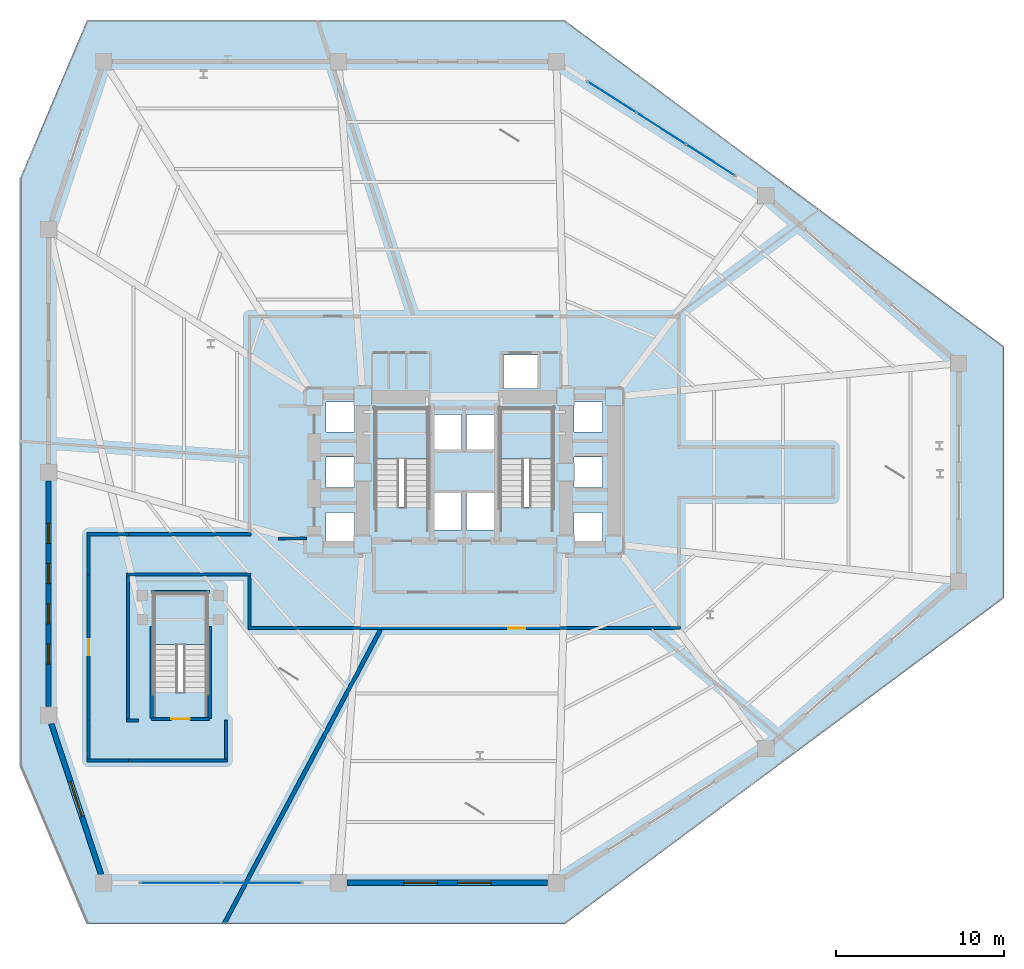
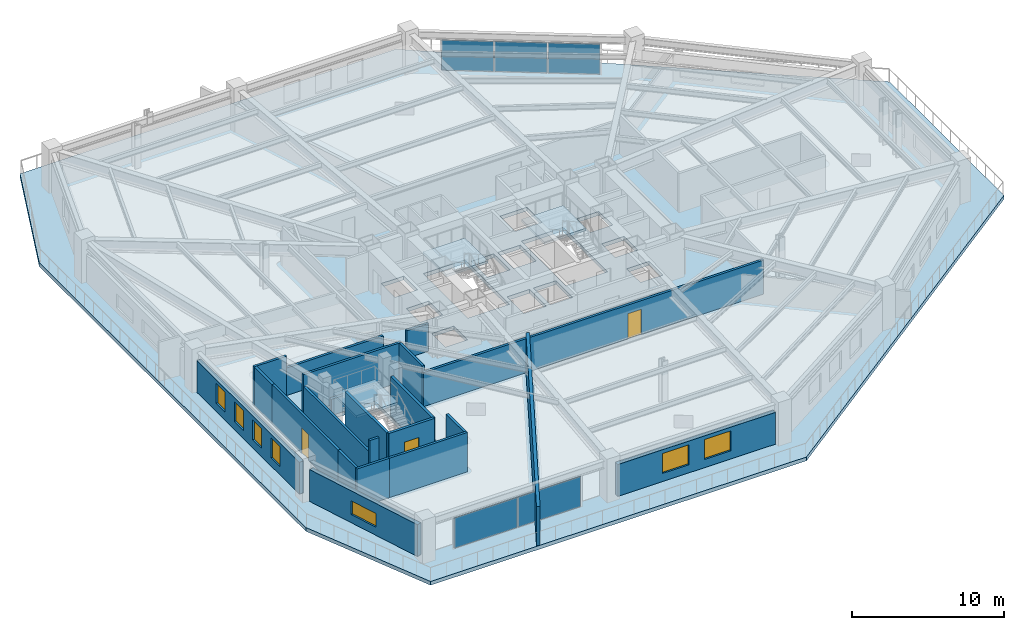
# One storey, part 5 of 12: 22 walls, 7 windows, 5 plates, 4 slabs, 3 doors, 10 openings, 5 elements without a shape of their own.
"""IFC4 building model written with IfcOpenShell, lengths in metres."""

import ifcopenshell
import ifcopenshell.guid

model = None  # the IFC model being written
_history = None  # IfcOwnerHistory: only IFC2X3 demands one
_inside = {}  # id of a spatial element -> (the spatial element, [elements in it])
_under = {}  # id of a project, library or spatial element -> (it, [spatial elements below it])
_declared = {}  # id of a project -> (the project, [libraries it declares])
_typed = {}  # id of a type object -> (the type object, [elements of that type])
_made_of = {}  # id of a material, layer set ... -> (it, [elements and type objects made of it])


def new_model(schema):
    """Start an empty IFC model of exactly this schema.

    Asked for "IFC4X3", IfcOpenShell would pick the latest addendum, in which some entities
    have other attributes; the version numbers below select the first issue.
    IFC2X3 requires an IfcOwnerHistory on every rooted entity: one is made here for all.
    """
    global model, _history
    if schema == "IFC4X3":
        model = ifcopenshell.file(schema_version=(4, 3, 0, 0))
    else:
        model = ifcopenshell.file(schema=schema)
    _inside.clear()
    _under.clear()
    _declared.clear()
    _typed.clear()
    _made_of.clear()
    _history = None
    if model.schema == "IFC2X3":
        org = make("IfcOrganization", Name="unknown")
        user = make(
            "IfcPersonAndOrganization",
            ThePerson=make("IfcPerson", FamilyName="unknown"),
            TheOrganization=org,
        )
        app = make(
            "IfcApplication",
            ApplicationDeveloper=org,
            Version="unknown",
            ApplicationFullName="unknown",
            ApplicationIdentifier="unknown",
        )
        _history = make(
            "IfcOwnerHistory",
            OwningUser=user,
            OwningApplication=app,
            ChangeAction="ADDED",
            CreationDate=0,
        )
    return model


def make(cls, **values):
    """One entity of the class cls with the attributes given. An attribute that is None is left unset."""
    return model.create_entity(
        cls, **{name: value for name, value in values.items() if value is not None}
    )


def rooted(cls, **values):
    """An entity with a GlobalId (a new one), such as an element, a storey or a relation."""
    return make(cls, GlobalId=ifcopenshell.guid.new(), OwnerHistory=_history, **values)


def si_unit(unit_type, name, prefix=None):
    """IfcSIUnit, for example si_unit("LENGTHUNIT", "METRE", prefix="MILLI")."""
    return make("IfcSIUnit", UnitType=unit_type, Prefix=prefix, Name=name)


def assignment(units):
    """IfcUnitAssignment: the units of a project."""
    return None if units is None else make("IfcUnitAssignment", Units=units)


def point(xyz):
    """IfcCartesianPoint."""
    return None if xyz is None else make("IfcCartesianPoint", Coordinates=xyz)


def direction(xyz):
    """IfcDirection."""
    return None if xyz is None else make("IfcDirection", DirectionRatios=xyz)


def frame(location, z_axis=None, x_axis=None):
    """IfcAxis2Placement3D, a coordinate frame: its origin and axes. An axis left out is left unset."""
    return make(
        "IfcAxis2Placement3D",
        Location=point(location),
        Axis=direction(z_axis),
        RefDirection=direction(x_axis),
    )


def frame_2d(location, x_axis=None):
    """IfcAxis2Placement2D, a coordinate frame in the plane: its origin and x axis."""
    return make(
        "IfcAxis2Placement2D", Location=point(location), RefDirection=direction(x_axis)
    )


def origin():
    """The frame at (0, 0, 0) with its axes left unset."""
    return frame((0.0, 0.0, 0.0))


def origin_2d():
    """The frame at (0, 0) in the plane with its x axis left unset."""
    return frame_2d((0.0, 0.0))


def place(relative_to, where):
    """IfcLocalPlacement: puts the frame where relative to a parent placement (None: the world)."""
    return make(
        "IfcLocalPlacement", PlacementRelTo=relative_to, RelativePlacement=where
    )


def context(
    kind, dimensions, precision=None, world=None, true_north=None, identifier=None
):
    """IfcGeometricRepresentationContext, for example the 3D "Model" context."""
    return make(
        "IfcGeometricRepresentationContext",
        ContextIdentifier=identifier,
        ContextType=kind,
        CoordinateSpaceDimension=dimensions,
        Precision=precision,
        WorldCoordinateSystem=world,
        TrueNorth=true_north,
    )


def subcontext(parent, identifier, kind, view, scale=None):
    """IfcGeometricRepresentationSubContext, for example "Body" below "Model"."""
    return make(
        "IfcGeometricRepresentationSubContext",
        ContextIdentifier=identifier,
        ContextType=kind,
        ParentContext=parent,
        TargetScale=scale,
        TargetView=view,
    )


def project(units=None, contexts=None):
    """IfcProject with its units and contexts."""
    return rooted(
        "IfcProject",
        Name="project",
        RepresentationContexts=contexts,
        UnitsInContext=assignment(units),
    )


def spatial(cls, under=None, at=None, **own):
    """A site, building, storey or space (cls), placed at a placement, below another one or the project."""
    s = rooted(cls, ObjectPlacement=at, **own)
    if under is not None:
        _under.setdefault(under.id(), (under, []))[1].append(s)
    return s


def polyline(points):
    """IfcPolyline through the points."""
    return make("IfcPolyline", Points=[point(p) for p in points])


def profile(cls, at=None, kind="AREA", **sizes):
    """A parametric profile (cls). Its sizes go by their IFC names, for example OverallWidth=200.0."""
    return make(cls, ProfileType=kind, Position=at, **sizes)


def rectangle(**sizes):
    """IfcRectangleProfileDef."""
    return profile("IfcRectangleProfileDef", **sizes)


def outline(outer, holes=None, kind="AREA"):
    """IfcArbitraryClosedProfileDef: a profile drawn as a closed curve; with holes, ...WithVoids."""
    if holes is None:
        return make("IfcArbitraryClosedProfileDef", ProfileType=kind, OuterCurve=outer)
    return make(
        "IfcArbitraryProfileDefWithVoids",
        ProfileType=kind,
        OuterCurve=outer,
        InnerCurves=holes,
    )


def extrude(swept, where, along, depth):
    """IfcExtrudedAreaSolid: the profile swept, set in the frame where, extruded along a direction by depth."""
    return make(
        "IfcExtrudedAreaSolid",
        SweptArea=swept,
        Position=where,
        ExtrudedDirection=direction(along),
        Depth=depth,
    )


def shape(context_of_items, identifier, shape_type, items):
    """IfcShapeRepresentation: the items that make up one representation, for example the "Body"."""
    return make(
        "IfcShapeRepresentation",
        ContextOfItems=context_of_items,
        RepresentationIdentifier=identifier,
        RepresentationType=shape_type,
        Items=items,
    )


def material(Name=None, Category=None):
    """IfcMaterial."""
    return make("IfcMaterial", Name=Name, Category=Category)


def layer(
    of_material, thickness, ventilated=None, Name=None, Category=None, Priority=None
):
    """IfcMaterialLayer: one layer of a wall or slab, of a material (None: an air gap)."""
    return make(
        "IfcMaterialLayer",
        Material=of_material,
        LayerThickness=thickness,
        IsVentilated=ventilated,
        Name=Name,
        Category=Category,
        Priority=Priority,
    )


def layer_set(layers, Name=None):
    """IfcMaterialLayerSet."""
    return make("IfcMaterialLayerSet", MaterialLayers=layers, LayerSetName=Name)


def made_of(thing, what):
    """Note that an element or type object is made of a material, layer set ...; save() writes the relation."""
    if what is not None:
        _made_of.setdefault(what.id(), (what, []))[1].append(thing)
    return thing


def type_object(cls, material=None, **own):
    """A type object (cls), such as IfcWallType, which elements share."""
    return made_of(rooted(cls, **own), material)


def element(
    cls,
    number,
    at=None,
    inside=None,
    cuts=None,
    type_object=None,
    material=None,
    context=None,
    identifier="Body",
    shape_type=None,
    held_by="IfcProductDefinitionShape",
    body=None,
    shapes=None,
    **own,
):
    """One element of the class cls, such as IfcWall. Its Tag is "e" and its number.

    at: its placement. inside: the storey or other place that contains it. cuts: it is an
    opening in that element (IfcRelVoidsElement). A single representation is given by context,
    identifier, shape_type and body (its items); several are given by shapes. held_by: the class
    of the entity that holds the representations. save() writes the other relations.
    """
    e = rooted(cls, Tag="e%d" % number, ObjectPlacement=at, **own)
    if body is not None:
        shapes = [shape(context, identifier, shape_type, body)]
    if shapes is not None:
        e.Representation = make(held_by, Representations=shapes)
    if inside is not None:
        _inside.setdefault(inside.id(), (inside, []))[1].append(e)
    if cuts is not None:
        rooted(
            "IfcRelVoidsElement", RelatingBuildingElement=cuts, RelatedOpeningElement=e
        )
    if type_object is not None:
        _typed.setdefault(type_object.id(), (type_object, []))[1].append(e)
    return made_of(e, material)


def fill(opening, filler):
    """IfcRelFillsElement: the door or window that sits in an opening."""
    return rooted(
        "IfcRelFillsElement",
        RelatingOpeningElement=opening,
        RelatedBuildingElement=filler,
    )


def aggregate(whole, parts):
    """IfcRelAggregates: a whole, such as a stair, and the parts it consists of."""
    return rooted("IfcRelAggregates", RelatingObject=whole, RelatedObjects=parts)


def save(model, path):
    """Write the relations noted so far, then the file.

    IfcRelAggregates (storeys below a building ...), IfcRelContainedInSpatialStructure (elements
    in a storey), IfcRelDefinesByType, IfcRelAssociatesMaterial and IfcRelDeclares: one each for
    every whole, place, type object, material and project.
    """
    for whole, parts in _under.values():
        aggregate(whole, parts)
    for where, things in _inside.values():
        rooted(
            "IfcRelContainedInSpatialStructure",
            RelatedElements=things,
            RelatingStructure=where,
        )
    for kind, things in _typed.values():
        rooted("IfcRelDefinesByType", RelatedObjects=things, RelatingType=kind)
    for what, things in _made_of.values():
        rooted("IfcRelAssociatesMaterial", RelatedObjects=things, RelatingMaterial=what)
    for by, libraries in _declared.values():
        rooted("IfcRelDeclares", RelatingContext=by, RelatedDefinitions=libraries)
    model.write(path)


model = new_model("IFC4")

# Units and contexts
model_context = context("Model", 3, precision=1e-05, world=origin(), true_north=direction((0.0, 1.0)))
body_context = subcontext(model_context, "Body", "Model", "MODEL_VIEW")
ifc_project = project(units=[si_unit("LENGTHUNIT", "METRE"), si_unit("AREAUNIT", "SQUARE_METRE"), si_unit("VOLUMEUNIT", "CUBIC_METRE"), si_unit("PLANEANGLEUNIT", "RADIAN"), si_unit("MASSUNIT", "GRAM", prefix="KILO")], contexts=[model_context])

# Site, building, storey
site_placement = place(None, origin())
site = spatial("IfcSite", under=ifc_project, at=site_placement, CompositionType="ELEMENT")
building_placement = place(site_placement, origin())
building = spatial("IfcBuilding", under=site, at=building_placement, Name="Rocaltana Carrier Exchange", CompositionType="ELEMENT")
storey_placement = place(building_placement, frame((0.0, 0.0, 11.840087890625)))
storey = spatial("IfcBuildingStorey", under=building, at=storey_placement, Name="L04", CompositionType="ELEMENT", Elevation=11.840087890625)

# Curtain wall, plates
ifc_material_1 = material(Name="Aluminium 6063-T6", Category="aluminium")
ifc_layer_1 = layer(ifc_material_1, 0.179931640625)
ifc_layer_set_1 = layer_set([ifc_layer_1], Name="Aluminium 6063-T6")
curtain_wall_type = type_object("IfcCurtainWallType", Name="Sandstone Spandrel Unitised Curtain Wall CW-01", PredefinedType="NOTDEFINED", material=ifc_layer_set_1)
curtain_wall_1_placement = place(storey_placement, origin())
curtain_wall_1 = element("IfcCurtainWall", 1, at=curtain_wall_1_placement, inside=storey, type_object=curtain_wall_type, Name="L04 CW-01 Run CW01-POD-L04-B01", PredefinedType="NOTDEFINED")
ifc_material_2 = material(Name="Tempered Laminated Glass", Category="glass")
ifc_layer_2 = layer(ifc_material_2, 0.0439453125)
ifc_layer_set_2 = layer_set([ifc_layer_2], Name="Tempered Laminated Glass")
plate_type = type_object("IfcPlateType", Name="CW-01 Stone-Insulated Vision Panel", PredefinedType="CURTAIN_PANEL", material=ifc_layer_set_2)
plate_1_placement = place(storey_placement, frame((-12.09130859375, -24.5, 0.06494140625), z_axis=(0.0, 0.0, 1.0), x_axis=(-1.0, 0.0, 0.0)))
plate_1 = element("IfcPlate", 2, at=plate_1_placement, type_object=plate_type, Name="CW-01 panel 1.1", PredefinedType="CURTAIN_PANEL", context=body_context, shape_type="SweptSolid", body=[
    extrude(rectangle(XDim=4.75244140625, YDim=0.0439453125, at=origin_2d()), origin(), (0.0, 0.0, 1.0), 2.41796875),
])
plate_2_placement = place(storey_placement, frame((-16.90869140625, -24.5, 0.06494140625), z_axis=(0.0, 0.0, 1.0), x_axis=(-1.0, 0.0, 0.0)))
plate_2 = element("IfcPlate", 3, at=plate_2_placement, type_object=plate_type, Name="CW-01 panel 2.1", PredefinedType="CURTAIN_PANEL", context=body_context, shape_type="SweptSolid", body=[
    extrude(rectangle(XDim=4.75244140625, YDim=0.0439453125, at=origin_2d()), origin(), (0.0, 0.0, 1.0), 2.41796875),
])
aggregate(curtain_wall_1, [plate_1, plate_2])

curtain_wall_2_placement = place(storey_placement, origin())
curtain_wall_2 = element("IfcCurtainWall", 4, at=curtain_wall_2_placement, inside=storey, type_object=curtain_wall_type, Name="L04 CW-01 Run CW01-POD-L04-B07", PredefinedType="NOTDEFINED")
plate_3_placement = place(storey_placement, frame((8.80419921875, 22.38525390625, 0.06494140625), z_axis=(0.0, 0.0, 1.0), x_axis=(0.842273468198, -0.539050465884, 0.0)))
plate_3 = element("IfcPlate", 5, at=plate_3_placement, type_object=plate_type, Name="CW-01 panel 1.1", PredefinedType="CURTAIN_PANEL", context=body_context, shape_type="SweptSolid", body=[
    extrude(rectangle(XDim=3.416015625, YDim=0.0439453125, at=origin_2d()), origin(), (0.0, 0.0, 1.0), 2.41796875),
])
plate_4_placement = place(storey_placement, frame((11.75, 20.5, 0.06494140625), z_axis=(0.0, 0.0, 1.0), x_axis=(0.842273468198, -0.539050465884, 0.0)))
plate_4 = element("IfcPlate", 6, at=plate_4_placement, type_object=plate_type, Name="CW-01 panel 2.1", PredefinedType="CURTAIN_PANEL", context=body_context, shape_type="SweptSolid", body=[
    extrude(rectangle(XDim=3.448486328125, YDim=0.0439453125, at=origin_2d()), origin(), (0.0, 0.0, 1.0), 2.41796875),
])
plate_5_placement = place(storey_placement, frame((14.69580078125, 18.61474609375, 0.06494140625), z_axis=(0.0, 0.0, 1.0), x_axis=(0.842273468198, -0.539050465884, 0.0)))
plate_5 = element("IfcPlate", 7, at=plate_5_placement, type_object=plate_type, Name="CW-01 panel 3.1", PredefinedType="CURTAIN_PANEL", context=body_context, shape_type="SweptSolid", body=[
    extrude(rectangle(XDim=3.416015625, YDim=0.0439453125, at=origin_2d()), origin(), (0.0, 0.0, 1.0), 2.41796875),
])
aggregate(curtain_wall_2, [plate_3, plate_4, plate_5])

# Slab
ifc_material_3 = material(Name="Concrete C60/75", Category="concrete")
ifc_layer_3 = layer(ifc_material_3, 0.300048828125)
ifc_layer_set_3 = layer_set([ifc_layer_3], Name="Concrete C60/75")
slab_type_1 = type_object("IfcSlabType", Name="Podium Floor Slab 300", PredefinedType="FLOOR", material=ifc_layer_set_3)
slab_1_placement = place(storey_placement, frame((0.0, 0.0, -0.300048828125)))
element("IfcSlab", 8, at=slab_1_placement, inside=storey, type_object=slab_type_1, Name="L04 Structural Floor Slab", PredefinedType="FLOOR", context=body_context, shape_type="SweptSolid", body=[
    extrude(outline(polyline([(-22.5, -26.949951171875), (6.0, -26.949951171875), (32.199951171875, -7.5), (32.199951171875, 7.5), (6.0, 26.949951171875), (-22.5, 26.949951171875), (-26.5, 17.5), (-26.5, -17.5), (-22.5, -26.949951171875)]), holes=[polyline([(-5.300048828125, -2.06005859375), (-2.139892578125, -2.06005859375), (-2.139892578125, 3.800048828125), (-5.300048828125, 3.800048828125), (-5.300048828125, -2.06005859375)]), polyline([(2.139892578125, -2.06005859375), (5.300048828125, -2.06005859375), (5.300048828125, 3.800048828125), (2.139892578125, 3.800048828125), (2.139892578125, -2.06005859375)]), polyline([(-18.5, -13.110107421875), (-15.340087890625, -13.110107421875), (-15.340087890625, -7.25), (-18.5, -7.25), (-18.5, -13.110107421875)]), polyline([(-1.85009765625, -3.449951171875), (-0.14990234375, -3.449951171875), (-0.14990234375, -1.25), (-1.85009765625, -1.25), (-1.85009765625, -3.449951171875)]), polyline([(0.14990234375, -3.449951171875), (1.85009765625, -3.449951171875), (1.85009765625, -1.25), (0.14990234375, -1.25), (0.14990234375, -3.449951171875)]), polyline([(2.35009765625, 4.97998046875), (4.39990234375, 4.97998046875), (4.39990234375, 6.97998046875), (2.35009765625, 6.97998046875), (2.35009765625, 4.97998046875)]), polyline([(-1.85009765625, 1.35009765625), (-0.14990234375, 1.35009765625), (-0.14990234375, 3.449951171875), (-1.85009765625, 3.449951171875), (-1.85009765625, 1.35009765625)]), polyline([(0.14990234375, 1.35009765625), (1.85009765625, 1.35009765625), (1.85009765625, 3.449951171875), (0.14990234375, 3.449951171875), (0.14990234375, 1.35009765625)]), polyline([(-8.25, -4.199951171875), (-6.550048828125, -4.199951171875), (-6.550048828125, -2.39990234375), (-8.25, -2.39990234375), (-8.25, -4.199951171875)]), polyline([(-8.25, -0.89990234375), (-6.550048828125, -0.89990234375), (-6.550048828125, 0.89990234375), (-8.25, 0.89990234375), (-8.25, -0.89990234375)]), polyline([(-8.25, 2.39990234375), (-6.550048828125, 2.39990234375), (-6.550048828125, 4.199951171875), (-8.25, 4.199951171875), (-8.25, 2.39990234375)]), polyline([(6.550048828125, -4.199951171875), (8.25, -4.199951171875), (8.25, -2.39990234375), (6.550048828125, -2.39990234375), (6.550048828125, -4.199951171875)]), polyline([(6.550048828125, -0.89990234375), (8.25, -0.89990234375), (8.25, 0.89990234375), (6.550048828125, 0.89990234375), (6.550048828125, -0.89990234375)]), polyline([(6.550048828125, 2.39990234375), (8.25, 2.39990234375), (8.25, 4.199951171875), (6.550048828125, 4.199951171875), (6.550048828125, 2.39990234375)])]), origin(), (0.0, 0.0, 1.0), 0.300048828125),
])

# Stair, slab
ifc_material_4 = material(Name="Precast concrete C45/55", Category="concrete")
stair_type = type_object("IfcStairType", Name="Standard Dog-Leg Stair 160", PredefinedType="HALF_TURN_STAIR", material=ifc_material_4)
stair_1_placement = place(storey_placement, origin())
stair_1 = element("IfcStair", 9, at=stair_1_placement, inside=storey, type_object=stair_type, Name="L04 Core West Exit Stair ST-1", PredefinedType="HALF_TURN_STAIR")
ifc_material_5 = material(Name="Precast concrete C45/55", Category="concrete")
ifc_layer_4 = layer(ifc_material_5, 0.199951171875)
ifc_layer_set_4 = layer_set([ifc_layer_4], Name="Precast concrete C45/55")
slab_type_2 = type_object("IfcSlabType", Name="Precast Stair Half-Landing 200", PredefinedType="LANDING", material=ifc_layer_set_4)
slab_2_placement = place(storey_placement, frame((0.0, 0.0, 1.559814453125)))
slab_2 = element("IfcSlab", 10, at=slab_2_placement, type_object=slab_type_2, Name="ST-1 landing 1", PredefinedType="LANDING", context=body_context, shape_type="SweptSolid", body=[
    extrude(outline(polyline([(-2.139892578125, 0.780029296875), (-2.139892578125, 3.800048828125), (-5.300048828125, 3.800048828125), (-5.300048828125, 0.780029296875), (-2.139892578125, 0.780029296875)])), origin(), (0.0, 0.0, 1.0), 0.2001953125),
])
aggregate(stair_1, [slab_2])

stair_2_placement = place(storey_placement, origin())
stair_2 = element("IfcStair", 11, at=stair_2_placement, inside=storey, type_object=stair_type, Name="L04 Core East Exit Stair ST-2", PredefinedType="HALF_TURN_STAIR")
slab_3_placement = place(storey_placement, frame((0.0, 0.0, 1.559814453125)))
slab_3 = element("IfcSlab", 12, at=slab_3_placement, type_object=slab_type_2, Name="ST-2 landing 1", PredefinedType="LANDING", context=body_context, shape_type="SweptSolid", body=[
    extrude(outline(polyline([(5.300048828125, 0.780029296875), (5.300048828125, 3.800048828125), (2.139892578125, 3.800048828125), (2.139892578125, 0.780029296875), (5.300048828125, 0.780029296875)])), origin(), (0.0, 0.0, 1.0), 0.2001953125),
])
aggregate(stair_2, [slab_3])

stair_3_placement = place(storey_placement, origin())
stair_3 = element("IfcStair", 13, at=stair_3_placement, inside=storey, type_object=stair_type, Name="L04 Podium Concourse Exit Stair ST-3", PredefinedType="HALF_TURN_STAIR")
slab_4_placement = place(storey_placement, frame((0.0, 0.0, 1.559814453125)))
slab_4 = element("IfcSlab", 14, at=slab_4_placement, type_object=slab_type_2, Name="ST-3 landing 1", PredefinedType="LANDING", context=body_context, shape_type="SweptSolid", body=[
    extrude(outline(polyline([(-15.340087890625, -10.27001953125), (-15.340087890625, -7.25), (-18.5, -7.25), (-18.5, -10.27001953125), (-15.340087890625, -10.27001953125)])), origin(), (0.0, 0.0, 1.0), 0.2001953125),
])
aggregate(stair_3, [slab_4])

# Walls
ifc_material_6 = material(Name="Gypsum & Steel Stud Partition", Category="steel")
ifc_layer_5 = layer(ifc_material_6, 0.179931640625)
ifc_layer_set_5 = layer_set([ifc_layer_5], Name="Gypsum & Steel Stud Partition")
wall_type_1 = type_object("IfcWallType", Name="Corridor Fire Partition 180 EI60", PredefinedType="PARTITIONING", material=ifc_layer_set_5)
wall_1_placement = place(storey_placement, frame((-20.030029296875, -17.199951171875, 0.0), z_axis=(0.0, 0.0, 1.0), x_axis=(-1.0, 0.0, 0.0)))
element("IfcWall", 15, at=wall_1_placement, inside=storey, type_object=wall_type_1, Name="L04 Corridor Partition 1", PredefinedType="PARTITIONING", context=body_context, shape_type="SweptSolid", body=[
    extrude(rectangle(XDim=2.4599609375, YDim=0.179931640625, at=frame_2d((1.22998046875, 0.0))), origin(), (0.0, 0.0, 1.0), 3.15283203125),
])
wall_2_placement = place(storey_placement, frame((-22.39990234375, -17.110107421875, 0.0), z_axis=(0.0, 0.0, 1.0), x_axis=(0.0, 1.0, 0.0)))
element("IfcWall", 16, at=wall_2_placement, inside=storey, type_object=wall_type_1, Name="L04 Corridor Partition 2", PredefinedType="PARTITIONING", context=body_context, shape_type="SweptSolid", body=[
    extrude(rectangle(XDim=2.330078125, YDim=0.179931640625, at=frame_2d((1.1650390625, 0.0))), origin(), (0.0, 0.0, 1.0), 3.15283203125),
])

# Wall, opening, door
wall_3_placement = place(storey_placement, frame((-22.39990234375, -14.820068359375, 0.0), z_axis=(0.0, 0.0, 1.0), x_axis=(0.0, 1.0, 0.0)))
wall_3 = element("IfcWall", 17, at=wall_3_placement, inside=storey, type_object=wall_type_1, Name="L04 Corridor Partition 3", PredefinedType="PARTITIONING", context=body_context, shape_type="SweptSolid", body=[
    extrude(rectangle(XDim=8.739990234375, YDim=0.179931640625, at=frame_2d((4.3701171875, 0.0))), origin(), (0.0, 0.0, 1.0), 3.15283203125),
])
opening_1_placement = place(wall_3_placement, frame((3.889892578125, 0.0, 0.0)))
opening_1 = element("IfcOpeningElement", 18, at=opening_1_placement, cuts=wall_3, Name="Opening D-RM098", PredefinedType="OPENING", context=body_context, shape_type="SweptSolid", body=[
    extrude(rectangle(XDim=0.9599609375, YDim=2.02001953125, at=frame_2d((0.47998046875, 1.010009765625))), frame((0.0, 0.099853515625, 0.0), z_axis=(0.0, -1.0, 0.0), x_axis=(1.0, 0.0, 0.0)), (0.0, 0.0, 1.0), 0.199951171875),
])
ifc_material_7 = material(Name="Engineered Hardwood Timber", Category="wood")
door_type_1 = type_object("IfcDoorType", Name="Workspace Single Door 960x2020", OperationType="NOTDEFINED", PredefinedType="DOOR", material=ifc_material_7)
door_1_placement = place(opening_1_placement, origin())
door_1 = element("IfcDoor", 19, at=door_1_placement, inside=storey, type_object=door_type_1, Name="L04 Network Engineering Studio Entrance Door", OperationType="SINGLE_SWING_LEFT", OverallHeight=2.02001953125, OverallWidth=0.9599609375, PredefinedType="DOOR", context=body_context, shape_type="SweptSolid", body=[
    extrude(rectangle(XDim=0.9599609375, YDim=2.02001953125, at=frame_2d((0.47998046875, 1.010009765625))), frame((0.0, 0.02490234375, 0.0), z_axis=(0.0, -1.0, 0.0), x_axis=(1.0, 0.0, 0.0)), (0.0, 0.0, 1.0), 0.050048828125),
])
fill(opening_1, door_1)

# Walls
wall_4_placement = place(storey_placement, frame((-22.39990234375, -6.1201171875, 0.0), z_axis=(0.0, 0.0, 1.0), x_axis=(0.0, 1.0, 0.0)))
element("IfcWall", 20, at=wall_4_placement, inside=storey, type_object=wall_type_1, Name="L04 Corridor Partition 4", PredefinedType="PARTITIONING", context=body_context, shape_type="SweptSolid", body=[
    extrude(rectangle(XDim=2.330078125, YDim=0.179931640625, at=frame_2d((1.1650390625, 0.0))), origin(), (0.0, 0.0, 1.0), 3.15283203125),
])
wall_5_placement = place(storey_placement, frame((-22.489990234375, -3.699951171875, 0.0), z_axis=(0.0, 0.0, 1.0), x_axis=(1.0, 0.0, 0.0)))
element("IfcWall", 21, at=wall_5_placement, inside=storey, type_object=wall_type_1, Name="L04 Corridor Partition 5", PredefinedType="PARTITIONING", context=body_context, shape_type="SweptSolid", body=[
    extrude(rectangle(XDim=2.4599609375, YDim=0.179931640625, at=frame_2d((1.22998046875, 0.0))), origin(), (0.0, 0.0, 1.0), 3.15283203125),
])
wall_6_placement = place(storey_placement, frame((-20.070068359375, -3.699951171875, 0.0), z_axis=(0.0, 0.0, 1.0), x_axis=(1.0, 0.0, 0.0)))
element("IfcWall", 22, at=wall_6_placement, inside=storey, type_object=wall_type_1, Name="L04 Corridor Partition 6", PredefinedType="PARTITIONING", context=body_context, shape_type="SweptSolid", body=[
    extrude(rectangle(XDim=7.360107421875, YDim=0.179931640625, at=frame_2d((3.68017578125, 0.0))), origin(), (0.0, 0.0, 1.0), 2.205810546875),
])

# Wall, opening, door
wall_7_placement = place(storey_placement, frame((12.889892578125, -9.300048828125, 0.0), z_axis=(0.0, 0.0, 1.0), x_axis=(-1.0, 0.0, 0.0)))
wall_7 = element("IfcWall", 23, at=wall_7_placement, inside=storey, type_object=wall_type_1, Name="L04 Corridor Partition 14", PredefinedType="PARTITIONING", context=body_context, shape_type="SweptSolid", body=[
    extrude(rectangle(XDim=25.77978515625, YDim=0.179931640625, at=frame_2d((12.889892578125, 0.0))), origin(), (0.0, 0.0, 1.0), 2.719970703125),
])
opening_2_placement = place(wall_7_placement, frame((9.253662109375, 0.0, 0.0)))
opening_2 = element("IfcOpeningElement", 24, at=opening_2_placement, cuts=wall_7, Name="Opening D-LB104", PredefinedType="OPENING", context=body_context, shape_type="SweptSolid", body=[
    extrude(rectangle(XDim=1.02001953125, YDim=2.02001953125, at=frame_2d((0.510009765625, 1.010009765625))), frame((0.0, 0.099853515625, 0.0), z_axis=(0.0, -1.0, 0.0), x_axis=(1.0, 0.0, 0.0)), (0.0, 0.0, 1.0), 0.199951171875),
])
ifc_material_8 = material(Name="Powder-Coated Aluminium 6063-T6", Category="aluminium")
door_type_2 = type_object("IfcDoorType", Name="Laboratory Acoustic Door 1020x2020", OperationType="NOTDEFINED", PredefinedType="DOOR", material=ifc_material_8)
door_2_placement = place(opening_2_placement, origin())
door_2 = element("IfcDoor", 25, at=door_2_placement, inside=storey, type_object=door_type_2, Name="L04 Photonic Integration Workshop Entrance Door", OperationType="SINGLE_SWING_RIGHT", OverallHeight=2.02001953125, OverallWidth=1.02001953125, PredefinedType="DOOR", context=body_context, shape_type="SweptSolid", body=[
    extrude(rectangle(XDim=1.02001953125, YDim=2.02001953125, at=frame_2d((0.510009765625, 1.010009765625))), frame((0.0, 0.02490234375, 0.0), z_axis=(0.0, -1.0, 0.0), x_axis=(1.0, 0.0, 0.0)), (0.0, 0.0, 1.0), 0.050048828125),
])
fill(opening_2, door_2)

# Walls
wall_8_placement = place(storey_placement, frame((-12.800048828125, -9.2099609375, 0.0), z_axis=(0.0, 0.0, 1.0), x_axis=(0.0, 1.0, 0.0)))
element("IfcWall", 26, at=wall_8_placement, inside=storey, type_object=wall_type_1, Name="L04 Corridor Partition 15", PredefinedType="PARTITIONING", context=body_context, shape_type="SweptSolid", body=[
    extrude(rectangle(XDim=3.02001953125, YDim=0.179931640625, at=frame_2d((1.510009765625, 0.0))), origin(), (0.0, 0.0, 1.0), 3.15283203125),
])
wall_9_placement = place(storey_placement, frame((-12.7099609375, -6.10009765625, 0.0), z_axis=(0.0, 0.0, 1.0), x_axis=(-1.0, 0.0, 0.0)))
element("IfcWall", 27, at=wall_9_placement, inside=storey, type_object=wall_type_1, Name="L04 Corridor Partition 16", PredefinedType="PARTITIONING", context=body_context, shape_type="SweptSolid", body=[
    extrude(rectangle(XDim=7.429931640625, YDim=0.179931640625, at=frame_2d((3.71484375, 0.0))), origin(), (0.0, 0.0, 1.0), 3.15283203125),
])
wall_10_placement = place(storey_placement, frame((-20.050048828125, -6.18994140625, 0.0), z_axis=(0.0, 0.0, 1.0), x_axis=(0.0, -1.0, 0.0)))
element("IfcWall", 28, at=wall_10_placement, inside=storey, type_object=wall_type_1, Name="L04 Corridor Partition 17", PredefinedType="PARTITIONING", context=body_context, shape_type="SweptSolid", body=[
    extrude(rectangle(XDim=8.52001953125, YDim=0.179931640625, at=frame_2d((4.260009765625, 0.0))), origin(), (0.0, 0.0, 1.0), 2.205810546875),
])
wall_11_placement = place(storey_placement, frame((-20.139892578125, -14.800048828125, 0.0), z_axis=(0.0, 0.0, 1.0), x_axis=(1.0, 0.0, 0.0)))
element("IfcWall", 29, at=wall_11_placement, inside=storey, type_object=wall_type_1, Name="L04 Corridor Partition 18", PredefinedType="PARTITIONING", context=body_context, shape_type="SweptSolid", body=[
    extrude(rectangle(XDim=0.7099609375, YDim=0.179931640625, at=frame_2d((0.35498046875, 0.0))), origin(), (0.0, 0.0, 1.0), 3.15283203125),
])
wall_12_placement = place(storey_placement, frame((-14.199951171875, -14.780029296875, 0.0), z_axis=(0.0, 0.0, 1.0), x_axis=(0.0, -1.0, 0.0)))
element("IfcWall", 30, at=wall_12_placement, inside=storey, type_object=wall_type_1, Name="L04 Corridor Partition 19", PredefinedType="PARTITIONING", context=body_context, shape_type="SweptSolid", body=[
    extrude(rectangle(XDim=2.330078125, YDim=0.179931640625, at=frame_2d((1.1650390625, 0.0))), origin(), (0.0, 0.0, 1.0), 3.15283203125),
])
wall_13_placement = place(storey_placement, frame((-14.110107421875, -17.199951171875, 0.0), z_axis=(0.0, 0.0, 1.0), x_axis=(-1.0, 0.0, 0.0)))
element("IfcWall", 31, at=wall_13_placement, inside=storey, type_object=wall_type_1, Name="L04 Corridor Partition 20", PredefinedType="PARTITIONING", context=body_context, shape_type="SweptSolid", body=[
    extrude(rectangle(XDim=5.9599609375, YDim=0.179931640625, at=frame_2d((2.97998046875, 0.0))), origin(), (0.0, 0.0, 1.0), 3.15283203125),
])
wall_14_placement = place(storey_placement, frame((-11.070068359375, -3.9599609375, 0.0), z_axis=(0.0, 0.0, 1.0), x_axis=(1.0, 0.0, 0.0)))
element("IfcWall", 32, at=wall_14_placement, inside=storey, type_object=wall_type_1, Name="L04 Corridor Partition 21", PredefinedType="PARTITIONING", context=body_context, shape_type="SweptSolid", body=[
    extrude(rectangle(XDim=1.650146484375, YDim=0.179931640625, at=frame_2d((0.8251953125, 0.0))), origin(), (0.0, 0.0, 1.0), 2.205810546875),
])
ifc_material_9 = material(Name="Acoustic Calcium Silicate Partition", Category="gypsum")
ifc_layer_6 = layer(ifc_material_9, 0.239990234375)
ifc_layer_set_6 = layer_set([ifc_layer_6], Name="Acoustic Calcium Silicate Partition")
wall_type_2 = type_object("IfcWallType", Name="Heavy Lab Partition 240 EI90", PredefinedType="PARTITIONING", material=ifc_layer_set_6)
wall_15_placement = place(storey_placement, frame((-4.9873046875, -9.3798828125, 0.0), z_axis=(0.0, 0.0, 1.0), x_axis=(-0.469474122014, -0.882946232088, 0.0)))
element("IfcWall", 33, at=wall_15_placement, inside=storey, type_object=wall_type_2, Name="L04 Suite Divider Wall D1", PredefinedType="PARTITIONING", context=body_context, shape_type="SweptSolid", body=[
    extrude(rectangle(XDim=19.887939453125, YDim=0.239990234375, at=frame_2d((9.94384765625, 0.0))), origin(), (0.0, 0.0, 1.0), 3.15283203125),
])
ifc_material_10 = material(Name="Reinforced Concrete Block C35/45", Category="concrete")
ifc_layer_7 = layer(ifc_material_10, 0.199951171875)
ifc_layer_set_7 = layer_set([ifc_layer_7], Name="Reinforced Concrete Block C35/45")
wall_type_3 = type_object("IfcWallType", Name="Lift Hoistway Enclosure Wall 200 EI120", PredefinedType="PARTITIONING", material=ifc_layer_set_7)
for number, where, z_axis, x_axis, name in (
    (34, (-18.64990234375, -14.699951171875, 0.0), (0.0, 0.0, 1.0), (0.0, 1.0, 0.0), "L04 Podium Stair ST-3 West Wall"),
    (35, (-15.18994140625, -14.699951171875, 0.0), (0.0, 0.0, 1.0), (0.0, 1.0, 0.0), "L04 Podium Stair ST-3 East Wall"),
):
    element("IfcWall", number, at=place(storey_placement, frame(where, z_axis=z_axis, x_axis=x_axis)), inside=storey, type_object=wall_type_3, Name=name, PredefinedType="PARTITIONING", context=body_context, shape_type="SweptSolid", body=[
        extrude(rectangle(XDim=5.5, YDim=0.199951171875, at=frame_2d((2.75, 0.0))), origin(), (0.0, 0.0, 1.0), 3.15283203125),
    ])
wall_16_placement = place(storey_placement, frame((-18.64990234375, -7.14990234375, 0.0), z_axis=(0.0, 0.0, 1.0), x_axis=(1.0, 0.0, 0.0)))
element("IfcWall", 36, at=wall_16_placement, inside=storey, type_object=wall_type_3, Name="L04 Podium Stair ST-3 North Wall", PredefinedType="PARTITIONING", context=body_context, shape_type="SweptSolid", body=[
    extrude(rectangle(XDim=3.4599609375, YDim=0.199951171875, at=frame_2d((1.72998046875, 0.0))), origin(), (0.0, 0.0, 1.0), 1.2998046875),
])

# Wall, opening, door
wall_17_placement = place(storey_placement, frame((-18.64990234375, -14.719970703125, 0.0), z_axis=(0.0, 0.0, 1.0), x_axis=(1.0, 0.0, 0.0)))
wall_17 = element("IfcWall", 37, at=wall_17_placement, inside=storey, type_object=wall_type_3, Name="L04 Podium Stair ST-3 South Landing Wall", PredefinedType="PARTITIONING", context=body_context, shape_type="SweptSolid", body=[
    extrude(rectangle(XDim=3.4599609375, YDim=0.199951171875, at=frame_2d((1.72998046875, 0.0))), origin(), (0.0, 0.0, 1.0), 3.15283203125),
])
opening_3_placement = place(wall_17_placement, frame((1.179931640625, 0.0, 0.0)))
opening_3 = element("IfcOpeningElement", 38, at=opening_3_placement, cuts=wall_17, Name="Opening D-ST110", PredefinedType="OPENING", context=body_context, shape_type="SweptSolid", body=[
    extrude(rectangle(XDim=1.10009765625, YDim=2.0400390625, at=frame_2d((0.550048828125, 1.02001953125))), frame((0.0, 0.10986328125, 0.0), z_axis=(0.0, -1.0, 0.0), x_axis=(1.0, 0.0, 0.0)), (0.0, 0.0, 1.0), 0.219970703125),
])
ifc_material_11 = material(Name="Hollow Metal Fire Door Assembly", Category="steel")
door_type_3 = type_object("IfcDoorType", Name="Exit Stair Fire Door 1100x2040 FD90S", OperationType="NOTDEFINED", PredefinedType="DOOR", material=ifc_material_11)
door_3_placement = place(opening_3_placement, origin())
door_3 = element("IfcDoor", 39, at=door_3_placement, inside=storey, type_object=door_type_3, Name="L04 Podium Stair ST-3 Fire Door", OperationType="SINGLE_SWING_RIGHT", OverallHeight=2.0400390625, OverallWidth=1.10009765625, PredefinedType="DOOR", context=body_context, shape_type="SweptSolid", body=[
    extrude(rectangle(XDim=1.10009765625, YDim=2.0400390625, at=frame_2d((0.550048828125, 1.02001953125))), frame((0.0, 0.02490234375, 0.0), z_axis=(0.0, -1.0, 0.0), x_axis=(1.0, 0.0, 0.0)), (0.0, 0.0, 1.0), 0.050048828125),
])
fill(opening_3, door_3)

# Wall, openings, windows
ifc_material_12 = material(Name="Precast sandstone concrete C45/55", Category="masonry")
ifc_layer_8 = layer(ifc_material_12, 0.320068359375)
ifc_layer_set_8 = layer_set([ifc_layer_8], Name="Precast sandstone concrete C45/55")
wall_type_4 = type_object("IfcWallType", Name="Precast Sandstone Facade Wall 320", PredefinedType="SOLIDWALL", material=ifc_layer_set_8)
wall_18_placement = place(storey_placement, frame((4.97998046875, -24.5, 0.0), z_axis=(0.0, 0.0, 1.0), x_axis=(-1.0, 0.0, 0.0)))
wall_18 = element("IfcWall", 40, at=wall_18_placement, inside=storey, type_object=wall_type_4, Name="L04 Sandstone Facade Wall B02", PredefinedType="SOLIDWALL", context=body_context, shape_type="SweptSolid", body=[
    extrude(rectangle(XDim=11.9599609375, YDim=0.320068359375, at=frame_2d((5.97998046875, 0.0))), origin(), (0.0, 0.0, 1.0), 2.5478515625),
])
opening_4_placement = place(wall_18_placement, frame((3.3798828125, 0.0, 0.64990234375)))
opening_4 = element("IfcOpeningElement", 41, at=opening_4_placement, cuts=wall_18, Name="Opening W-01", PredefinedType="OPENING", context=body_context, shape_type="SweptSolid", body=[
    extrude(rectangle(XDim=2.0, YDim=1.60009765625, at=frame_2d((1.0, 0.800048828125))), frame((0.0, 0.169921875, 0.0), z_axis=(0.0, -1.0, 0.0), x_axis=(1.0, 0.0, 0.0)), (0.0, 0.0, 1.0), 0.340087890625),
])
opening_5_placement = place(wall_18_placement, frame((6.580078125, 0.0, 0.64990234375)))
opening_5 = element("IfcOpeningElement", 42, at=opening_5_placement, cuts=wall_18, Name="Opening W-01", PredefinedType="OPENING", context=body_context, shape_type="SweptSolid", body=[
    extrude(rectangle(XDim=2.0, YDim=1.60009765625, at=frame_2d((1.0, 0.800048828125))), frame((0.0, 0.169921875, 0.0), z_axis=(0.0, -1.0, 0.0), x_axis=(1.0, 0.0, 0.0)), (0.0, 0.0, 1.0), 0.340087890625),
])
ifc_material_13 = material(Name="Aluminium 6063-T6 & Double Glazing", Category="aluminium")
window_type_1 = type_object("IfcWindowType", Name="Concourse Gallery Window 2000x1600", PartitioningType="SINGLE_PANEL", PredefinedType="WINDOW", material=ifc_material_13)
window_1_placement = place(opening_4_placement, origin())
window_1 = element("IfcWindow", 43, at=window_1_placement, inside=storey, type_object=window_type_1, Name="L04 Punched Window B02-1", OverallHeight=1.60009765625, OverallWidth=2.0, PartitioningType="SINGLE_PANEL", PredefinedType="WINDOW", context=body_context, shape_type="SweptSolid", body=[
    extrude(rectangle(XDim=2.0, YDim=1.60009765625, at=frame_2d((1.0, 0.800048828125))), frame((0.0, 0.030029296875, 0.0), z_axis=(0.0, -1.0, 0.0), x_axis=(1.0, 0.0, 0.0)), (0.0, 0.0, 1.0), 0.06005859375),
])
fill(opening_4, window_1)
window_2_placement = place(opening_5_placement, origin())
window_2 = element("IfcWindow", 44, at=window_2_placement, inside=storey, type_object=window_type_1, Name="L04 Punched Window B02-2", OverallHeight=1.60009765625, OverallWidth=2.0, PartitioningType="SINGLE_PANEL", PredefinedType="WINDOW", context=body_context, shape_type="SweptSolid", body=[
    extrude(rectangle(XDim=2.0, YDim=1.60009765625, at=frame_2d((1.0, 0.800048828125))), frame((0.0, 0.030029296875, 0.0), z_axis=(0.0, -1.0, 0.0), x_axis=(1.0, 0.0, 0.0)), (0.0, 0.0, 1.0), 0.06005859375),
])
fill(opening_5, window_2)

wall_19_placement = place(storey_placement, frame((-24.800048828125, -13.97998046875, 0.0), z_axis=(0.0, 0.0, 1.0), x_axis=(0.0, 1.0, 0.0)))
wall_19 = element("IfcWall", 45, at=wall_19_placement, inside=storey, type_object=wall_type_4, Name="L04 Sandstone Facade Wall B12", PredefinedType="SOLIDWALL", context=body_context, shape_type="SweptSolid", body=[
    extrude(rectangle(XDim=13.4599609375, YDim=0.320068359375, at=frame_2d((6.72998046875, 0.0))), origin(), (0.0, 0.0, 1.0), 2.5478515625),
])
opening_6_placement = place(wall_19_placement, frame((2.530029296875, 0.0, 0.64990234375)))
opening_6 = element("IfcOpeningElement", 46, at=opening_6_placement, cuts=wall_19, Name="Opening W-03", PredefinedType="OPENING", context=body_context, shape_type="SweptSolid", body=[
    extrude(rectangle(XDim=1.199951171875, YDim=1.60009765625, at=frame_2d((0.60009765625, 0.800048828125))), frame((0.0, 0.169921875, 0.0), z_axis=(0.0, -1.0, 0.0), x_axis=(1.0, 0.0, 0.0)), (0.0, 0.0, 1.0), 0.340087890625),
])
opening_7_placement = place(wall_19_placement, frame((4.929931640625, 0.0, 0.64990234375)))
opening_7 = element("IfcOpeningElement", 47, at=opening_7_placement, cuts=wall_19, Name="Opening W-03", PredefinedType="OPENING", context=body_context, shape_type="SweptSolid", body=[
    extrude(rectangle(XDim=1.199951171875, YDim=1.60009765625, at=frame_2d((0.60009765625, 0.800048828125))), frame((0.0, 0.169921875, 0.0), z_axis=(0.0, -1.0, 0.0), x_axis=(1.0, 0.0, 0.0)), (0.0, 0.0, 1.0), 0.340087890625),
])
opening_8_placement = place(wall_19_placement, frame((7.330078125, 0.0, 0.64990234375)))
opening_8 = element("IfcOpeningElement", 48, at=opening_8_placement, cuts=wall_19, Name="Opening W-03", PredefinedType="OPENING", context=body_context, shape_type="SweptSolid", body=[
    extrude(rectangle(XDim=1.199951171875, YDim=1.60009765625, at=frame_2d((0.60009765625, 0.800048828125))), frame((0.0, 0.169921875, 0.0), z_axis=(0.0, -1.0, 0.0), x_axis=(1.0, 0.0, 0.0)), (0.0, 0.0, 1.0), 0.340087890625),
])
opening_9_placement = place(wall_19_placement, frame((9.72998046875, 0.0, 0.64990234375)))
opening_9 = element("IfcOpeningElement", 49, at=opening_9_placement, cuts=wall_19, Name="Opening W-03", PredefinedType="OPENING", context=body_context, shape_type="SweptSolid", body=[
    extrude(rectangle(XDim=1.199951171875, YDim=1.60009765625, at=frame_2d((0.60009765625, 0.800048828125))), frame((0.0, 0.169921875, 0.0), z_axis=(0.0, -1.0, 0.0), x_axis=(1.0, 0.0, 0.0)), (0.0, 0.0, 1.0), 0.340087890625),
])
ifc_material_14 = material(Name="Aluminium 6063-T6 & Double Glazing", Category="aluminium")
window_type_2 = type_object("IfcWindowType", Name="Podium Narrow Slot Window 1200x1600", PartitioningType="SINGLE_PANEL", PredefinedType="WINDOW", material=ifc_material_14)
window_3_placement = place(opening_6_placement, origin())
window_3 = element("IfcWindow", 50, at=window_3_placement, inside=storey, type_object=window_type_2, Name="L04 Punched Window B12-1", OverallHeight=1.60009765625, OverallWidth=1.199951171875, PartitioningType="SINGLE_PANEL", PredefinedType="WINDOW", context=body_context, shape_type="SweptSolid", body=[
    extrude(rectangle(XDim=1.199951171875, YDim=1.60009765625, at=frame_2d((0.60009765625, 0.800048828125))), frame((0.0, 0.030029296875, 0.0), z_axis=(0.0, -1.0, 0.0), x_axis=(1.0, 0.0, 0.0)), (0.0, 0.0, 1.0), 0.06005859375),
])
fill(opening_6, window_3)
window_4_placement = place(opening_7_placement, origin())
window_4 = element("IfcWindow", 51, at=window_4_placement, inside=storey, type_object=window_type_2, Name="L04 Punched Window B12-2", OverallHeight=1.60009765625, OverallWidth=1.199951171875, PartitioningType="SINGLE_PANEL", PredefinedType="WINDOW", context=body_context, shape_type="SweptSolid", body=[
    extrude(rectangle(XDim=1.199951171875, YDim=1.60009765625, at=frame_2d((0.60009765625, 0.800048828125))), frame((0.0, 0.030029296875, 0.0), z_axis=(0.0, -1.0, 0.0), x_axis=(1.0, 0.0, 0.0)), (0.0, 0.0, 1.0), 0.06005859375),
])
fill(opening_7, window_4)
window_5_placement = place(opening_8_placement, origin())
window_5 = element("IfcWindow", 52, at=window_5_placement, inside=storey, type_object=window_type_2, Name="L04 Punched Window B12-3", OverallHeight=1.60009765625, OverallWidth=1.199951171875, PartitioningType="SINGLE_PANEL", PredefinedType="WINDOW", context=body_context, shape_type="SweptSolid", body=[
    extrude(rectangle(XDim=1.199951171875, YDim=1.60009765625, at=frame_2d((0.60009765625, 0.800048828125))), frame((0.0, 0.030029296875, 0.0), z_axis=(0.0, -1.0, 0.0), x_axis=(1.0, 0.0, 0.0)), (0.0, 0.0, 1.0), 0.06005859375),
])
fill(opening_8, window_5)
window_6_placement = place(opening_9_placement, origin())
window_6 = element("IfcWindow", 53, at=window_6_placement, inside=storey, type_object=window_type_2, Name="L04 Punched Window B12-4", OverallHeight=1.60009765625, OverallWidth=1.199951171875, PartitioningType="SINGLE_PANEL", PredefinedType="WINDOW", context=body_context, shape_type="SweptSolid", body=[
    extrude(rectangle(XDim=1.199951171875, YDim=1.60009765625, at=frame_2d((0.60009765625, 0.800048828125))), frame((0.0, 0.030029296875, 0.0), z_axis=(0.0, -1.0, 0.0), x_axis=(1.0, 0.0, 0.0)), (0.0, 0.0, 1.0), 0.06005859375),
])
fill(opening_9, window_6)

# Wall, opening, window
wall_20_placement = place(storey_placement, frame((-21.6630859375, -24.006103515625, 0.0), z_axis=(0.0, 0.0, 1.0), x_axis=(-0.313363070681, 0.949633395544, 0.0)))
wall_20 = element("IfcWall", 54, at=wall_20_placement, inside=storey, type_object=wall_type_4, Name="L04 Sandstone Facade Wall B13", PredefinedType="SOLIDWALL", context=body_context, shape_type="SweptSolid", body=[
    extrude(rectangle(XDim=9.490234375, YDim=0.320068359375, at=frame_2d((4.7451171875, 0.0))), origin(), (0.0, 0.0, 1.0), 2.5478515625),
])
opening_10_placement = place(wall_20_placement, frame((3.645263671875, 0.0, 0.64990234375)))
opening_10 = element("IfcOpeningElement", 55, at=opening_10_placement, cuts=wall_20, Name="Opening W-04", PredefinedType="OPENING", context=body_context, shape_type="SweptSolid", body=[
    extrude(rectangle(XDim=2.199951171875, YDim=1.10009765625, at=frame_2d((1.10009765625, 0.550048828125))), frame((0.0, 0.169921875, 0.0), z_axis=(0.0, -1.0, 0.0), x_axis=(1.0, 0.0, 0.0)), (0.0, 0.0, 1.0), 0.340087890625),
])
ifc_material_15 = material(Name="Aluminium 6063-T6 & Double Glazing", Category="aluminium")
window_type_3 = type_object("IfcWindowType", Name="Podium Clerestory Window 2200x1100", PartitioningType="SINGLE_PANEL", PredefinedType="WINDOW", material=ifc_material_15)
window_7_placement = place(opening_10_placement, origin())
window_7 = element("IfcWindow", 56, at=window_7_placement, inside=storey, type_object=window_type_3, Name="L04 Punched Window B13-1", OverallHeight=1.10009765625, OverallWidth=2.199951171875, PartitioningType="SINGLE_PANEL", PredefinedType="WINDOW", context=body_context, shape_type="SweptSolid", body=[
    extrude(rectangle(XDim=2.199951171875, YDim=1.10009765625, at=frame_2d((1.10009765625, 0.550048828125))), frame((0.0, 0.030029296875, 0.0), z_axis=(0.0, -1.0, 0.0), x_axis=(1.0, 0.0, 0.0)), (0.0, 0.0, 1.0), 0.06005859375),
])
fill(opening_10, window_7)

save(model, "model.ifc")
